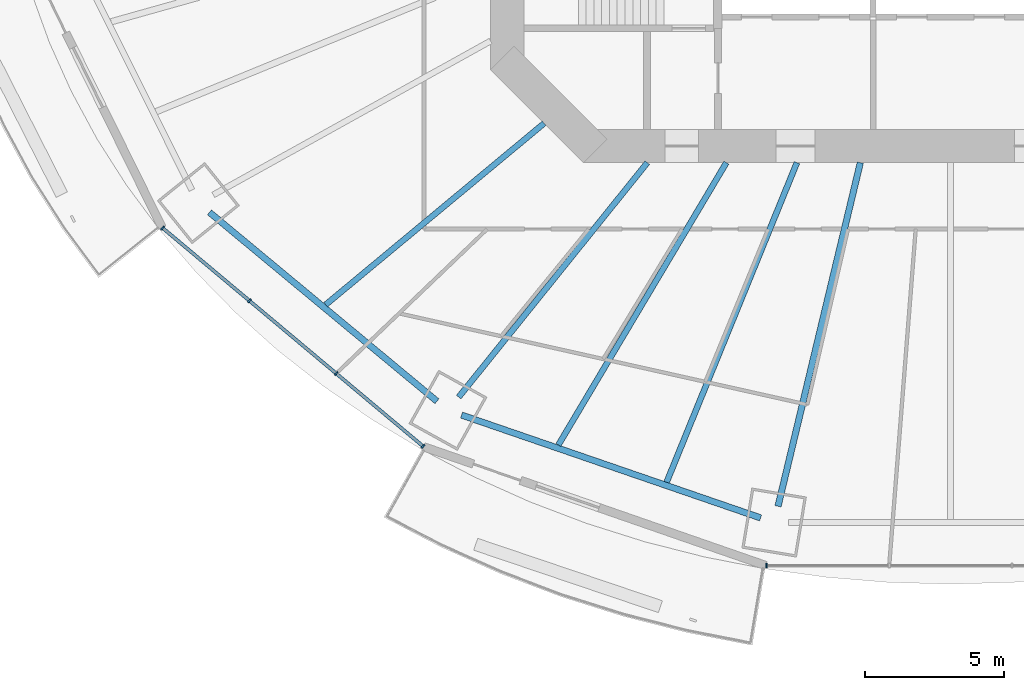
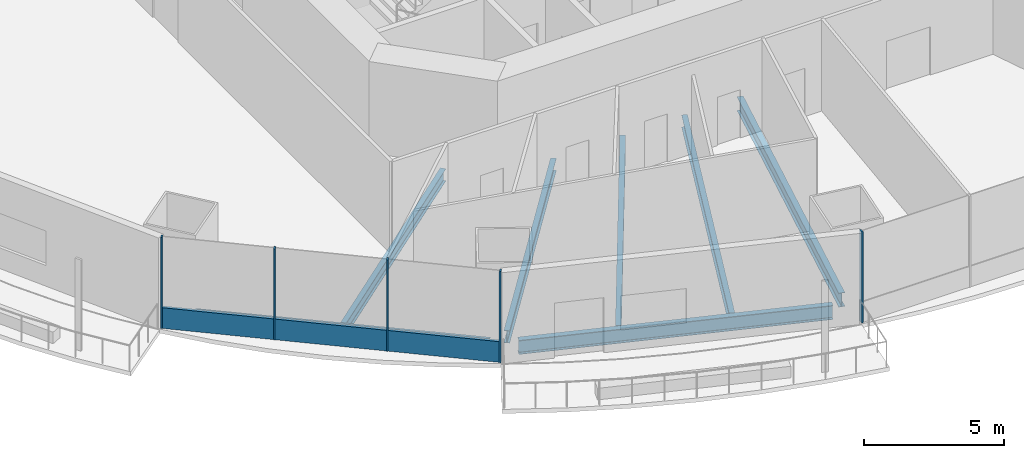
# One storey, part 2 of 22: 7 beams, 6 members, 2 elements without a shape of their own.
"""IFC4 building model written with IfcOpenShell, lengths in metres."""

from ifc_helpers import new_model, si_unit, direction, frame, origin, origin_2d, place, context, subcontext, project, spatial, rectangle, i_section, extrude, material, material_profile, profile_set, type_object, element, aggregate, save


model = new_model("IFC4")

# Units and contexts
model_context = context("Model", 3, precision=1e-05, world=origin(), true_north=direction((0.0, 1.0)))
body_context = subcontext(model_context, "Body", "Model", "MODEL_VIEW")
ifc_project = project(units=[si_unit("LENGTHUNIT", "METRE"), si_unit("AREAUNIT", "SQUARE_METRE"), si_unit("VOLUMEUNIT", "CUBIC_METRE"), si_unit("PLANEANGLEUNIT", "RADIAN"), si_unit("MASSUNIT", "GRAM", prefix="KILO")], contexts=[model_context])

# Site, building, storey
site_placement = place(None, origin())
site = spatial("IfcSite", under=ifc_project, at=site_placement, CompositionType="ELEMENT")
building_placement = place(site_placement, origin())
building = spatial("IfcBuilding", under=site, at=building_placement, Name="Marenthal Gate Tower", CompositionType="ELEMENT")
storey_placement = place(building_placement, frame((0.0, 0.0, 111.85009765625)))
storey = spatial("IfcBuildingStorey", under=building, at=storey_placement, Name="L23", CompositionType="ELEMENT", Elevation=111.85009765625)

# Curtain wall, members
ifc_material_1 = material(Name="Aluminium and glass", Category="aluminium")
curtain_wall_type = type_object("IfcCurtainWallType", Name="Curtain wall typical low", PredefinedType="NOTDEFINED", material=ifc_material_1)
curtain_wall_1_placement = place(storey_placement, origin())
curtain_wall_1 = element("IfcCurtainWall", 1, at=curtain_wall_1_placement, inside=storey, type_object=curtain_wall_type, Name="Curtain wall L23 bay 10", PredefinedType="NOTDEFINED")
ifc_material_2 = material(Name="Aluminium", Category="aluminium")
ifc_material_profile_1 = material_profile(ifc_material_2, rectangle(XDim=0.159912109375, YDim=0.06005859375, at=origin_2d()), Name="60x160 aluminium mullion")
ifc_profile_set_1 = profile_set([ifc_material_profile_1], Name="Aluminium")
member_type_1 = type_object("IfcMemberType", Name="Mullion 60x160 typical low", PredefinedType="MULLION", material=ifc_profile_set_1)
member_1_placement = place(storey_placement, frame((-28.434814453125, -15.95751953125, 0.0), z_axis=(0.0, 0.0, 1.0), x_axis=(0.642377082487, 0.766388728972, 0.0)))
member_1 = element("IfcMember", 2, at=member_1_placement, type_object=member_type_1, Name="Mullion L23 bay 10.1", PredefinedType="MULLION", context=body_context, shape_type="SweptSolid", body=[
    extrude(rectangle(XDim=0.159912109375, YDim=0.06005859375, at=origin_2d()), origin(), (0.0, 0.0, 1.0), 3.969970703125),
])
member_2_placement = place(storey_placement, frame((-25.302490234375, -18.5830078125, 0.0), z_axis=(0.0, 0.0, 1.0), x_axis=(0.642377082487, 0.766388728972, 0.0)))
member_2 = element("IfcMember", 3, at=member_2_placement, type_object=member_type_1, Name="Mullion L23 bay 10.2", PredefinedType="MULLION", context=body_context, shape_type="SweptSolid", body=[
    extrude(rectangle(XDim=0.159912109375, YDim=0.06005859375, at=origin_2d()), origin(), (0.0, 0.0, 1.0), 3.969970703125),
])
member_3_placement = place(storey_placement, frame((-22.170166015625, -21.20849609375, 0.0), z_axis=(0.0, 0.0, 1.0), x_axis=(0.642377082487, 0.766388728972, 0.0)))
member_3 = element("IfcMember", 4, at=member_3_placement, type_object=member_type_1, Name="Mullion L23 bay 10.3", PredefinedType="MULLION", context=body_context, shape_type="SweptSolid", body=[
    extrude(rectangle(XDim=0.159912109375, YDim=0.06005859375, at=origin_2d()), origin(), (0.0, 0.0, 1.0), 3.969970703125),
])
member_4_placement = place(storey_placement, frame((-19.037841796875, -23.833984375, 0.0), z_axis=(0.0, 0.0, 1.0), x_axis=(0.642377082487, 0.766388728972, 0.0)))
member_4 = element("IfcMember", 5, at=member_4_placement, type_object=member_type_1, Name="Mullion L23 bay 10.4", PredefinedType="MULLION", context=body_context, shape_type="SweptSolid", body=[
    extrude(rectangle(XDim=0.159912109375, YDim=0.06005859375, at=origin_2d()), origin(), (0.0, 0.0, 1.0), 3.969970703125),
])

# Curtain wall, member
curtain_wall_2_placement = place(storey_placement, origin())
curtain_wall_2 = element("IfcCurtainWall", 6, at=curtain_wall_2_placement, inside=storey, type_object=curtain_wall_type, Name="Curtain wall L23 bay 12", PredefinedType="NOTDEFINED")
member_5_placement = place(storey_placement, frame((-6.647216796875, -28.13671875, 0.0), z_axis=(0.0, 0.0, 1.0), x_axis=(0.0, 1.0, 0.0)))
member_5 = element("IfcMember", 7, at=member_5_placement, type_object=member_type_1, Name="Mullion L23 bay 12.1", PredefinedType="MULLION", context=body_context, shape_type="SweptSolid", body=[
    extrude(rectangle(XDim=0.159912109375, YDim=0.06005859375, at=origin_2d()), origin(), (0.0, 0.0, 1.0), 3.969970703125),
])
aggregate(curtain_wall_2, [member_5])

# Member
ifc_material_3 = material(Name="Aluminium", Category="aluminium")
ifc_material_profile_2 = material_profile(ifc_material_3, rectangle(XDim=0.1201171875, YDim=0.89990234375, at=origin_2d()), Name="120x900 aluminium transom")
ifc_profile_set_2 = profile_set([ifc_material_profile_2], Name="Aluminium")
member_type_2 = type_object("IfcMemberType", Name="Transom 120x900 typical low", PredefinedType="USERDEFINED", material=ifc_profile_set_2)
member_6_placement = place(storey_placement, frame((-28.411865234375, -15.976806640625, 0.449951171875), z_axis=(0.766391084467, -0.64237427225, 0.0), x_axis=(0.64237427225, 0.766391084467, 0.0)))
member_6 = element("IfcMember", 8, at=member_6_placement, type_object=member_type_2, Name="Transom L23 bay 10", ObjectType="TRANSOM", PredefinedType="USERDEFINED", context=body_context, shape_type="SweptSolid", body=[
    extrude(rectangle(XDim=0.1201171875, YDim=0.89990234375, at=origin_2d()), origin(), (0.0, 0.0, 1.0), 12.201416015625),
])

aggregate(curtain_wall_1, [member_1, member_2, member_3, member_4, member_6])

# Beams
ifc_material_4 = material(Name="Steel S355", Category="steel")
ifc_material_profile_3 = material_profile(ifc_material_4, i_section(OverallWidth=0.2099609375, OverallDepth=0.535888671875, WebThickness=0.010986328125, FlangeThickness=0.017333984375, FilletRadius=0.0126953125, at=origin_2d()), Name="W530X101")
ifc_profile_set_3 = profile_set([ifc_material_profile_3], Name="Steel S355")
beam_type_1 = type_object("IfcBeamType", Name="W530X101 beam", PredefinedType="BEAM", material=ifc_profile_set_3)
beam_1_placement = place(storey_placement, frame((-22.551025390625, -18.7255859375, -0.447998046875), z_axis=(0.769343150929, 0.638835750501, 0.0), x_axis=(-0.638835750501, 0.769343150929, 0.0)))
element("IfcBeam", 9, at=beam_1_placement, inside=storey, type_object=beam_type_1, Name="BM-L23-31", PredefinedType="BEAM", context=body_context, shape_type="SweptSolid", body=[
    extrude(i_section(OverallWidth=0.2099609375, OverallDepth=0.535888671875, WebThickness=0.010986328125, FlangeThickness=0.017333984375, FilletRadius=0.0126953125, at=origin_2d()), origin(), (0.0, 0.0, 1.0), 10.245849609375),
])
ifc_material_5 = material(Name="Steel S355", Category="steel")
ifc_material_profile_4 = material_profile(ifc_material_5, i_section(OverallWidth=0.2119140625, OverallDepth=0.5439453125, WebThickness=0.01318359375, FlangeThickness=0.021240234375, FilletRadius=0.0126953125, at=origin_2d()), Name="W530X123")
ifc_profile_set_4 = profile_set([ifc_material_profile_4], Name="Steel S355")
beam_type_2 = type_object("IfcBeamType", Name="W530X123 beam", PredefinedType="BEAM", material=ifc_profile_set_4)
beam_2_placement = place(storey_placement, frame((-17.750732421875, -22.059326171875, -0.4521484375), z_axis=(0.626924535124, 0.779079987716, 0.0), x_axis=(-0.779079987716, 0.626924535124, 0.0)))
element("IfcBeam", 10, at=beam_2_placement, inside=storey, type_object=beam_type_2, Name="BM-L23-11", PredefinedType="BEAM", context=body_context, shape_type="SweptSolid", body=[
    extrude(i_section(OverallWidth=0.2119140625, OverallDepth=0.5439453125, WebThickness=0.01318359375, FlangeThickness=0.021240234375, FilletRadius=0.0126953125, at=origin_2d()), origin(), (0.0, 0.0, 1.0), 10.85791015625),
])
beam_3_placement = place(storey_placement, frame((-14.154541015625, -23.7880859375, -0.4521484375), z_axis=(0.511357862228, 0.859367870436, 0.0), x_axis=(-0.859367870436, 0.511357862228, 0.0)))
element("IfcBeam", 11, at=beam_3_placement, inside=storey, type_object=beam_type_2, Name="BM-L23-32", PredefinedType="BEAM", context=body_context, shape_type="SweptSolid", body=[
    extrude(i_section(OverallWidth=0.2119140625, OverallDepth=0.5439453125, WebThickness=0.01318359375, FlangeThickness=0.021240234375, FilletRadius=0.0126953125, at=origin_2d()), origin(), (0.0, 0.0, 1.0), 11.855224609375),
])
beam_4_placement = place(storey_placement, frame((-10.248291015625, -25.131591796875, -0.4521484375), z_axis=(0.377598266022, 0.925969518665, 0.0), x_axis=(-0.925969518665, 0.377598266022, 0.0)))
element("IfcBeam", 12, at=beam_4_placement, inside=storey, type_object=beam_type_2, Name="BM-L23-33", PredefinedType="BEAM", context=body_context, shape_type="SweptSolid", body=[
    extrude(i_section(OverallWidth=0.2119140625, OverallDepth=0.5439453125, WebThickness=0.01318359375, FlangeThickness=0.021240234375, FilletRadius=0.0126953125, at=origin_2d()), origin(), (0.0, 0.0, 1.0), 12.453369140625),
])
ifc_material_6 = material(Name="Steel S355", Category="steel")
ifc_material_profile_5 = material_profile(ifc_material_6, i_section(OverallWidth=0.22900390625, OverallDepth=0.612060546875, WebThickness=0.011962890625, FlangeThickness=0.01953125, FilletRadius=0.0126953125, at=origin_2d()), Name="W610X125")
ifc_profile_set_5 = profile_set([ifc_material_profile_5], Name="Steel S355")
beam_type_3 = type_object("IfcBeamType", Name="W610X125 beam", PredefinedType="BEAM", material=ifc_profile_set_5)
beam_5_placement = place(storey_placement, frame((-6.228515625, -26.000732421875, -0.486083984375), z_axis=(0.232968867139, 0.972484193673, 0.0), x_axis=(-0.972484193673, 0.232968867139, 0.0)))
element("IfcBeam", 13, at=beam_5_placement, inside=storey, type_object=beam_type_3, Name="BM-L23-12", PredefinedType="BEAM", context=body_context, shape_type="SweptSolid", body=[
    extrude(i_section(OverallWidth=0.22900390625, OverallDepth=0.612060546875, WebThickness=0.011962890625, FlangeThickness=0.01953125, FilletRadius=0.0126953125, at=origin_2d()), origin(), (0.0, 0.0, 1.0), 12.75146484375),
])
beam_6_placement = place(storey_placement, frame((-26.743896484375, -15.392822265625, -0.486083984375), z_axis=(0.769349195684, -0.638828470796, 0.0), x_axis=(0.638828470796, 0.769349195684, 0.0)))
element("IfcBeam", 14, at=beam_6_placement, inside=storey, type_object=beam_type_3, Name="BM-L23-50", PredefinedType="BEAM", context=body_context, shape_type="SweptSolid", body=[
    extrude(i_section(OverallWidth=0.22900390625, OverallDepth=0.612060546875, WebThickness=0.011962890625, FlangeThickness=0.01953125, FilletRadius=0.0126953125, at=origin_2d()), origin(), (0.0, 0.0, 1.0), 10.66943359375),
])
beam_7_placement = place(storey_placement, frame((-17.649658203125, -22.707275390625, -0.486083984375), z_axis=(0.945631108542, -0.325241151391, 0.0), x_axis=(0.325241151391, 0.945631108542, 0.0)))
element("IfcBeam", 15, at=beam_7_placement, inside=storey, type_object=beam_type_3, Name="BM-L23-51", PredefinedType="BEAM", context=body_context, shape_type="SweptSolid", body=[
    extrude(i_section(OverallWidth=0.22900390625, OverallDepth=0.612060546875, WebThickness=0.011962890625, FlangeThickness=0.01953125, FilletRadius=0.0126953125, at=origin_2d()), origin(), (0.0, 0.0, 1.0), 11.4150390625),
])

save(model, "model.ifc")
